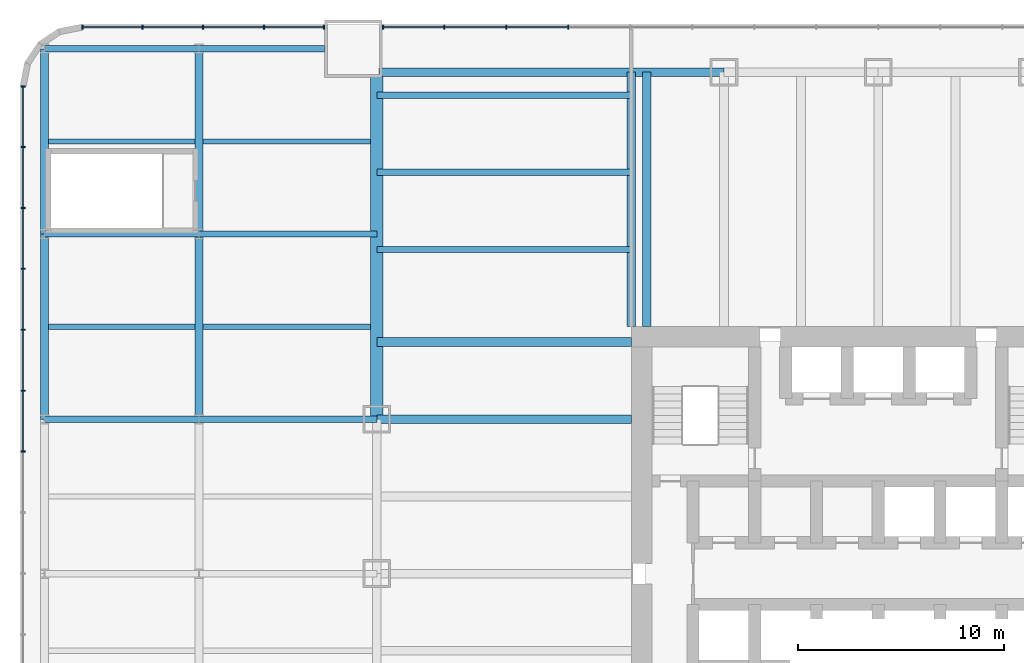
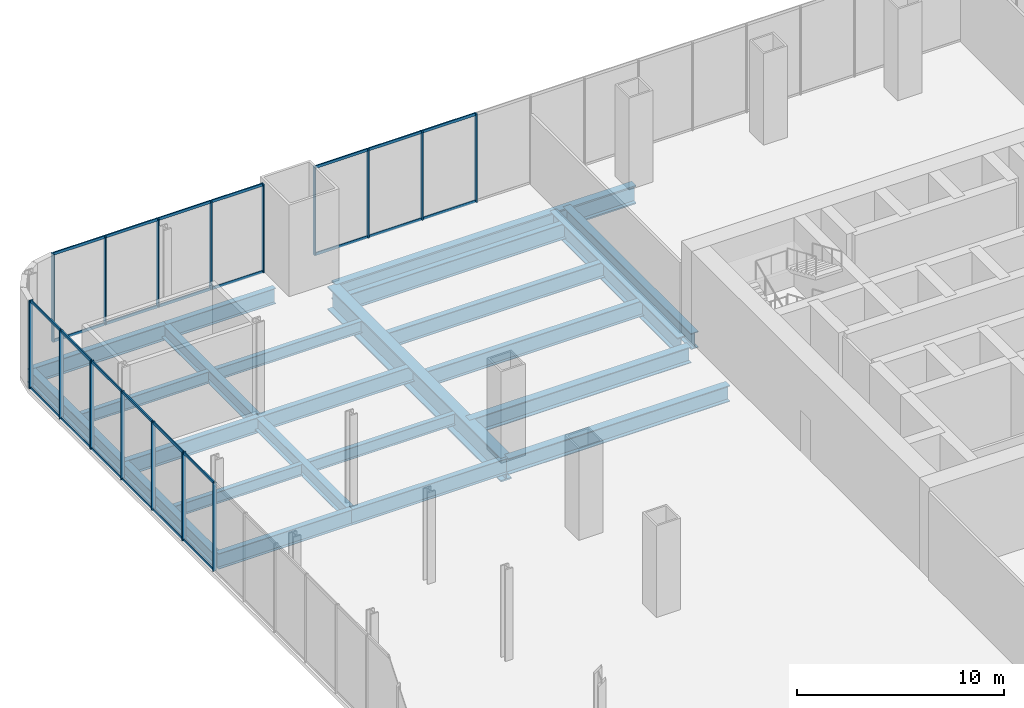
# One storey, part 6 of 17: 42 members, 23 beams, 3 elements without a shape of their own.
"""IFC4 building model written with IfcOpenShell, lengths in metres."""

from ifc_helpers import new_model, si_unit, direction, frame, origin, origin_2d, place, context, subcontext, project, spatial, rectangle, i_section, extrude, material, material_profile, profile_set, type_object, element, aggregate, save


model = new_model("IFC4")

# Units and contexts
model_context = context("Model", 3, precision=1e-05, world=origin(), true_north=direction((0.0, 1.0)))
body_context = subcontext(model_context, "Body", "Model", "MODEL_VIEW")
ifc_project = project(units=[si_unit("LENGTHUNIT", "METRE"), si_unit("AREAUNIT", "SQUARE_METRE"), si_unit("VOLUMEUNIT", "CUBIC_METRE"), si_unit("PLANEANGLEUNIT", "RADIAN"), si_unit("MASSUNIT", "GRAM", prefix="KILO")], contexts=[model_context])

# Site, building, storey
site_placement = place(None, origin())
site = spatial("IfcSite", under=ifc_project, at=site_placement, CompositionType="ELEMENT")
building_placement = place(site_placement, origin())
building = spatial("IfcBuilding", under=site, at=building_placement, Name="Tarangal Relay Tower", CompositionType="ELEMENT")
storey_placement = place(building_placement, frame((0.0, 0.0, 18.0)))
storey = spatial("IfcBuildingStorey", under=building, at=storey_placement, Name="L03", CompositionType="ELEMENT", Elevation=18.0)

# Beams
ifc_material_1 = material(Name="Steel ASTM A992", Category="steel")
ifc_material_profile_1 = material_profile(ifc_material_1, i_section(OverallWidth=0.307373046875, OverallDepth=0.927001953125, WebThickness=0.019287109375, FlangeThickness=0.031982421875, at=origin_2d()), Name="W36X194")
ifc_profile_set_1 = profile_set([ifc_material_profile_1], Name="Steel ASTM A992")
beam_type_1 = type_object("IfcBeamType", Name="Corner beam W36X194", PredefinedType="JOIST", material=ifc_profile_set_1)
for number, where, z_axis, x_axis, name in (
    (1, (-12.0, 15.75, -0.713623046875), (-1.0, 0.0, 0.0), (0.0, -1.0, 0.0), "Corner beam CB10 W L03"),
    (2, (-12.0, 19.5, -0.713623046875), (-1.0, 0.0, 0.0), (0.0, -1.0, 0.0), "Corner beam CB10 W L03"),
    (3, (-12.0, 23.25, -0.713623046875), (-1.0, 0.0, 0.0), (0.0, -1.0, 0.0), "Corner beam CB10 W L03"),
):
    element("IfcBeam", number, at=place(storey_placement, frame(where, z_axis=z_axis, x_axis=x_axis)), inside=storey, type_object=beam_type_1, Name=name, PredefinedType="JOIST", context=body_context, shape_type="SweptSolid", body=[
        extrude(i_section(OverallWidth=0.307373046875, OverallDepth=0.927001953125, WebThickness=0.019287109375, FlangeThickness=0.031982421875, at=origin_2d()), origin(), (0.0, 0.0, 1.0), 12.364990234375),
    ])
ifc_material_profile_2 = material_profile(ifc_material_1, i_section(OverallWidth=0.408935546875, OverallDepth=1.04150390625, WebThickness=0.031005859375, FlangeThickness=0.055908203125, at=origin_2d()), Name="W40X397")
ifc_profile_set_2 = profile_set([ifc_material_profile_2], Name="Steel ASTM A992")
beam_type_2 = type_object("IfcBeamType", Name="Corner girder W40X397", PredefinedType="BEAM", material=ifc_profile_set_2)
beam_1_placement = place(storey_placement, frame((-12.0, 12.0, -0.770751953125), z_axis=(0.0, 1.0, 0.0), x_axis=(-1.0, 0.0, 0.0)))
element("IfcBeam", 4, at=beam_1_placement, inside=storey, type_object=beam_type_2, Name="Corner girder CG1 W L03", PredefinedType="BEAM", context=body_context, shape_type="SweptSolid", body=[
    extrude(i_section(OverallWidth=0.408935546875, OverallDepth=1.04150390625, WebThickness=0.031005859375, FlangeThickness=0.055908203125, at=origin_2d()), origin(), (0.0, 0.0, 1.0), 12.364990234375),
])
ifc_material_profile_3 = material_profile(ifc_material_1, i_section(OverallWidth=0.42431640625, OverallDepth=1.09228515625, WebThickness=0.04541015625, FlangeThickness=0.08203125, at=origin_2d()), Name="W40X593")
ifc_profile_set_3 = profile_set([ifc_material_profile_3], Name="Steel ASTM A992")
beam_type_3 = type_object("IfcBeamType", Name="Edge girder W40X593", PredefinedType="SPANDREL", material=ifc_profile_set_3)
beam_2_placement = place(storey_placement, frame((-24.25, 24.364990234375, -0.796142578125), z_axis=(1.0, 0.0, 0.0), x_axis=(0.0, 1.0, 0.0)))
element("IfcBeam", 5, at=beam_2_placement, inside=storey, type_object=beam_type_3, Name="Edge girder EG9 N L03", PredefinedType="SPANDREL", context=body_context, shape_type="SweptSolid", body=[
    extrude(i_section(OverallWidth=0.42431640625, OverallDepth=1.09228515625, WebThickness=0.04541015625, FlangeThickness=0.08203125, at=origin_2d()), origin(), (0.0, 0.0, 1.0), 16.75),
])
ifc_material_profile_4 = material_profile(ifc_material_1, i_section(OverallWidth=0.42431640625, OverallDepth=0.947509765625, WebThickness=0.02392578125, FlangeThickness=0.042724609375, at=origin_2d()), Name="W36X302")
ifc_profile_set_4 = profile_set([ifc_material_profile_4], Name="Steel ASTM A992")
beam_type_4 = type_object("IfcBeamType", Name="Floor beam W36X302", PredefinedType="BEAM", material=ifc_profile_set_4)
for number, where, z_axis, x_axis, name in (
    (6, (-11.25, 12.0, -0.7236328125), (0.0, 1.0, 0.0), (-1.0, 0.0, 0.0), "Floor beam RB10 N L03"),
    (7, (-12.0, 7.5, -0.7236328125), (-1.0, 0.0, 0.0), (0.0, -1.0, 0.0), "Floor beam RB10 W L03"),
    (8, (-12.0, 11.25, -0.7236328125), (-1.0, 0.0, 0.0), (0.0, -1.0, 0.0), "Floor beam RB10 W L03"),
):
    element("IfcBeam", number, at=place(storey_placement, frame(where, z_axis=z_axis, x_axis=x_axis)), inside=storey, type_object=beam_type_4, Name=name, PredefinedType="BEAM", context=body_context, shape_type="SweptSolid", body=[
        extrude(i_section(OverallWidth=0.42431640625, OverallDepth=0.947509765625, WebThickness=0.02392578125, FlangeThickness=0.042724609375, at=origin_2d()), origin(), (0.0, 0.0, 1.0), 12.364990234375),
    ])

# Curtain wall, members
ifc_material_2 = material(Name="Unitised curtain wall, dark glass and black aluminium", Category="aluminium")
curtain_wall_type = type_object("IfcCurtainWallType", Name="Curtain wall CW-P", PredefinedType="USERDEFINED", material=ifc_material_2)
curtain_wall_1_placement = place(storey_placement, origin())
curtain_wall_1 = element("IfcCurtainWall", 9, at=curtain_wall_1_placement, inside=storey, type_object=curtain_wall_type, Name="Curtain wall CW-P Podium N facade L03", ObjectType="UNITISED CURTAIN WALL", PredefinedType="USERDEFINED")
ifc_material_3 = material(Name="Black anodised aluminium mullion", Category="aluminium")
ifc_material_profile_5 = material_profile(ifc_material_3, rectangle(XDim=0.199951171875, YDim=0.070068359375, at=origin_2d()), Name="CW-PM 70X200")
ifc_profile_set_5 = profile_set([ifc_material_profile_5], Name="Black anodised aluminium mullion")
member_type_1 = type_object("IfcMemberType", Name="Mullion CW-P 70 x 200", PredefinedType="MULLION", material=ifc_profile_set_5)
member_1_placement = place(storey_placement, frame((-15.0625, 26.550048828125, 0.0), z_axis=(0.0, 0.0, 1.0), x_axis=(0.0, -1.0, 0.0)))
member_1 = element("IfcMember", 10, at=member_1_placement, type_object=member_type_1, Name="CW-P mullion 14", PredefinedType="MULLION", context=body_context, shape_type="SweptSolid", body=[
    extrude(rectangle(XDim=0.199951171875, YDim=0.070068359375, at=origin_2d()), origin(), (0.0, 0.0, 1.0), 5.199951171875),
])
member_2_placement = place(storey_placement, frame((-18.074951171875, 26.550048828125, 0.0), z_axis=(0.0, 0.0, 1.0), x_axis=(0.0, -1.0, 0.0)))
member_2 = element("IfcMember", 11, at=member_2_placement, type_object=member_type_1, Name="CW-P mullion 15", PredefinedType="MULLION", context=body_context, shape_type="SweptSolid", body=[
    extrude(rectangle(XDim=0.199951171875, YDim=0.070068359375, at=origin_2d()), origin(), (0.0, 0.0, 1.0), 5.199951171875),
])
member_3_placement = place(storey_placement, frame((-21.08740234375, 26.550048828125, 0.0), z_axis=(0.0, 0.0, 1.0), x_axis=(0.0, -1.0, 0.0)))
member_3 = element("IfcMember", 12, at=member_3_placement, type_object=member_type_1, Name="CW-P mullion 16", PredefinedType="MULLION", context=body_context, shape_type="SweptSolid", body=[
    extrude(rectangle(XDim=0.199951171875, YDim=0.070068359375, at=origin_2d()), origin(), (0.0, 0.0, 1.0), 5.199951171875),
])
member_4_placement = place(storey_placement, frame((-24.06494140625, 26.550048828125, 0.0), z_axis=(0.0, 0.0, 1.0), x_axis=(0.0, -1.0, 0.0)))
member_4 = element("IfcMember", 13, at=member_4_placement, type_object=member_type_1, Name="CW-P mullion 17", PredefinedType="MULLION", context=body_context, shape_type="SweptSolid", body=[
    extrude(rectangle(XDim=0.199951171875, YDim=0.070068359375, at=origin_2d()), origin(), (0.0, 0.0, 1.0), 5.199951171875),
])

curtain_wall_2_placement = place(storey_placement, origin())
curtain_wall_2 = element("IfcCurtainWall", 14, at=curtain_wall_2_placement, inside=storey, type_object=curtain_wall_type, Name="Curtain wall CW-P Podium N facade L03", ObjectType="UNITISED CURTAIN WALL", PredefinedType="USERDEFINED")
member_5_placement = place(storey_placement, frame((-26.93505859375, 26.550048828125, 0.0), z_axis=(0.0, 0.0, 1.0), x_axis=(0.0, -1.0, 0.0)))
member_5 = element("IfcMember", 15, at=member_5_placement, type_object=member_type_1, Name="CW-P mullion 1", PredefinedType="MULLION", context=body_context, shape_type="SweptSolid", body=[
    extrude(rectangle(XDim=0.199951171875, YDim=0.070068359375, at=origin_2d()), origin(), (0.0, 0.0, 1.0), 5.199951171875),
])
member_6_placement = place(storey_placement, frame((-29.85009765625, 26.550048828125, 0.0), z_axis=(0.0, 0.0, 1.0), x_axis=(0.0, -1.0, 0.0)))
member_6 = element("IfcMember", 16, at=member_6_placement, type_object=member_type_1, Name="CW-P mullion 2", PredefinedType="MULLION", context=body_context, shape_type="SweptSolid", body=[
    extrude(rectangle(XDim=0.199951171875, YDim=0.070068359375, at=origin_2d()), origin(), (0.0, 0.0, 1.0), 5.199951171875),
])
member_7_placement = place(storey_placement, frame((-32.800048828125, 26.550048828125, 0.0), z_axis=(0.0, 0.0, 1.0), x_axis=(0.0, -1.0, 0.0)))
member_7 = element("IfcMember", 17, at=member_7_placement, type_object=member_type_1, Name="CW-P mullion 3", PredefinedType="MULLION", context=body_context, shape_type="SweptSolid", body=[
    extrude(rectangle(XDim=0.199951171875, YDim=0.070068359375, at=origin_2d()), origin(), (0.0, 0.0, 1.0), 5.199951171875),
])
member_8_placement = place(storey_placement, frame((-35.75, 26.550048828125, 0.0), z_axis=(0.0, 0.0, 1.0), x_axis=(0.0, -1.0, 0.0)))
member_8 = element("IfcMember", 18, at=member_8_placement, type_object=member_type_1, Name="CW-P mullion 4", PredefinedType="MULLION", context=body_context, shape_type="SweptSolid", body=[
    extrude(rectangle(XDim=0.199951171875, YDim=0.070068359375, at=origin_2d()), origin(), (0.0, 0.0, 1.0), 5.199951171875),
])
member_9_placement = place(storey_placement, frame((-38.6650390625, 26.550048828125, 0.0), z_axis=(0.0, 0.0, 1.0), x_axis=(0.0, -1.0, 0.0)))
member_9 = element("IfcMember", 19, at=member_9_placement, type_object=member_type_1, Name="CW-P mullion 5", PredefinedType="MULLION", context=body_context, shape_type="SweptSolid", body=[
    extrude(rectangle(XDim=0.199951171875, YDim=0.070068359375, at=origin_2d()), origin(), (0.0, 0.0, 1.0), 5.199951171875),
])

curtain_wall_3_placement = place(storey_placement, origin())
curtain_wall_3 = element("IfcCurtainWall", 20, at=curtain_wall_3_placement, inside=storey, type_object=curtain_wall_type, Name="Curtain wall CW-P Podium W facade L03", ObjectType="UNITISED CURTAIN WALL", PredefinedType="USERDEFINED")
member_10_placement = place(storey_placement, frame((-41.550048828125, 23.6650390625, 0.0), z_axis=(0.0, 0.0, 1.0), x_axis=(1.0, 0.0, 0.0)))
member_10 = element("IfcMember", 21, at=member_10_placement, type_object=member_type_1, Name="CW-P mullion 1", PredefinedType="MULLION", context=body_context, shape_type="SweptSolid", body=[
    extrude(rectangle(XDim=0.199951171875, YDim=0.070068359375, at=origin_2d()), origin(), (0.0, 0.0, 1.0), 5.199951171875),
])
member_11_placement = place(storey_placement, frame((-41.550048828125, 20.737548828125, 0.0), z_axis=(0.0, 0.0, 1.0), x_axis=(1.0, 0.0, 0.0)))
member_11 = element("IfcMember", 22, at=member_11_placement, type_object=member_type_1, Name="CW-P mullion 2", PredefinedType="MULLION", context=body_context, shape_type="SweptSolid", body=[
    extrude(rectangle(XDim=0.199951171875, YDim=0.070068359375, at=origin_2d()), origin(), (0.0, 0.0, 1.0), 5.199951171875),
])
member_12_placement = place(storey_placement, frame((-41.550048828125, 17.77490234375, 0.0), z_axis=(0.0, 0.0, 1.0), x_axis=(1.0, 0.0, 0.0)))
member_12 = element("IfcMember", 23, at=member_12_placement, type_object=member_type_1, Name="CW-P mullion 3", PredefinedType="MULLION", context=body_context, shape_type="SweptSolid", body=[
    extrude(rectangle(XDim=0.199951171875, YDim=0.070068359375, at=origin_2d()), origin(), (0.0, 0.0, 1.0), 5.199951171875),
])
member_13_placement = place(storey_placement, frame((-41.550048828125, 14.8125, 0.0), z_axis=(0.0, 0.0, 1.0), x_axis=(1.0, 0.0, 0.0)))
member_13 = element("IfcMember", 24, at=member_13_placement, type_object=member_type_1, Name="CW-P mullion 4", PredefinedType="MULLION", context=body_context, shape_type="SweptSolid", body=[
    extrude(rectangle(XDim=0.199951171875, YDim=0.070068359375, at=origin_2d()), origin(), (0.0, 0.0, 1.0), 5.199951171875),
])
member_14_placement = place(storey_placement, frame((-41.550048828125, 11.85009765625, 0.0), z_axis=(0.0, 0.0, 1.0), x_axis=(1.0, 0.0, 0.0)))
member_14 = element("IfcMember", 25, at=member_14_placement, type_object=member_type_1, Name="CW-P mullion 5", PredefinedType="MULLION", context=body_context, shape_type="SweptSolid", body=[
    extrude(rectangle(XDim=0.199951171875, YDim=0.070068359375, at=origin_2d()), origin(), (0.0, 0.0, 1.0), 5.199951171875),
])
member_15_placement = place(storey_placement, frame((-41.550048828125, 8.887451171875, 0.0), z_axis=(0.0, 0.0, 1.0), x_axis=(1.0, 0.0, 0.0)))
member_15 = element("IfcMember", 26, at=member_15_placement, type_object=member_type_1, Name="CW-P mullion 6", PredefinedType="MULLION", context=body_context, shape_type="SweptSolid", body=[
    extrude(rectangle(XDim=0.199951171875, YDim=0.070068359375, at=origin_2d()), origin(), (0.0, 0.0, 1.0), 5.199951171875),
])
member_16_placement = place(storey_placement, frame((-41.550048828125, 5.925048828125, 0.0), z_axis=(0.0, 0.0, 1.0), x_axis=(1.0, 0.0, 0.0)))
member_16 = element("IfcMember", 27, at=member_16_placement, type_object=member_type_1, Name="CW-P mullion 7", PredefinedType="MULLION", context=body_context, shape_type="SweptSolid", body=[
    extrude(rectangle(XDim=0.199951171875, YDim=0.070068359375, at=origin_2d()), origin(), (0.0, 0.0, 1.0), 5.199951171875),
])

# Beams
ifc_material_profile_6 = material_profile(ifc_material_1, i_section(OverallWidth=0.3046875, OverallDepth=0.911865234375, WebThickness=0.015869140625, FlangeThickness=0.02392578125, at=origin_2d()), Name="W36X150")
ifc_profile_set_6 = profile_set([ifc_material_profile_6], Name="Steel ASTM A992")
beam_type_5 = type_object("IfcBeamType", Name="Podium beam W36X150", PredefinedType="BEAM", material=ifc_profile_set_6)
beam_3_placement = place(storey_placement, frame((-24.364990234375, 7.5, -0.7060546875), z_axis=(-1.0, 0.0, 0.0), x_axis=(0.0, -1.0, 0.0)))
element("IfcBeam", 28, at=beam_3_placement, inside=storey, type_object=beam_type_5, Name="Podium beam PB1 L03", PredefinedType="BEAM", context=body_context, shape_type="SweptSolid", body=[
    extrude(i_section(OverallWidth=0.3046875, OverallDepth=0.911865234375, WebThickness=0.015869140625, FlangeThickness=0.02392578125, at=origin_2d()), origin(), (0.0, 0.0, 1.0), 8.635009765625),
])
beam_4_placement = place(storey_placement, frame((-33.0, 7.5, -0.7060546875), z_axis=(-1.0, 0.0, 0.0), x_axis=(0.0, -1.0, 0.0)))
element("IfcBeam", 29, at=beam_4_placement, inside=storey, type_object=beam_type_5, Name="Podium beam PB1 L03", PredefinedType="BEAM", context=body_context, shape_type="SweptSolid", body=[
    extrude(i_section(OverallWidth=0.3046875, OverallDepth=0.911865234375, WebThickness=0.015869140625, FlangeThickness=0.02392578125, at=origin_2d()), origin(), (0.0, 0.0, 1.0), 7.5),
])
beam_5_placement = place(storey_placement, frame((-24.364990234375, 16.5, -0.7060546875), z_axis=(-1.0, 0.0, 0.0), x_axis=(0.0, -1.0, 0.0)))
element("IfcBeam", 30, at=beam_5_placement, inside=storey, type_object=beam_type_5, Name="Podium beam PB1 L03", PredefinedType="BEAM", context=body_context, shape_type="SweptSolid", body=[
    extrude(i_section(OverallWidth=0.3046875, OverallDepth=0.911865234375, WebThickness=0.015869140625, FlangeThickness=0.02392578125, at=origin_2d()), origin(), (0.0, 0.0, 1.0), 8.635009765625),
])
beam_6_placement = place(storey_placement, frame((-33.0, 16.5, -0.7060546875), z_axis=(-1.0, 0.0, 0.0), x_axis=(0.0, -1.0, 0.0)))
element("IfcBeam", 31, at=beam_6_placement, inside=storey, type_object=beam_type_5, Name="Podium beam PB1 L03", PredefinedType="BEAM", context=body_context, shape_type="SweptSolid", body=[
    extrude(i_section(OverallWidth=0.3046875, OverallDepth=0.911865234375, WebThickness=0.015869140625, FlangeThickness=0.02392578125, at=origin_2d()), origin(), (0.0, 0.0, 1.0), 7.5),
])
beam_7_placement = place(storey_placement, frame((-26.89990234375, 25.5, -0.7060546875), z_axis=(-1.0, 0.0, 0.0), x_axis=(0.0, -1.0, 0.0)))
element("IfcBeam", 32, at=beam_7_placement, inside=storey, type_object=beam_type_5, Name="Podium beam PB1 L03", PredefinedType="BEAM", context=body_context, shape_type="SweptSolid", body=[
    extrude(i_section(OverallWidth=0.3046875, OverallDepth=0.911865234375, WebThickness=0.015869140625, FlangeThickness=0.02392578125, at=origin_2d()), origin(), (0.0, 0.0, 1.0), 6.10009765625),
])
beam_8_placement = place(storey_placement, frame((-33.0, 25.5, -0.7060546875), z_axis=(-1.0, 0.0, 0.0), x_axis=(0.0, -1.0, 0.0)))
element("IfcBeam", 33, at=beam_8_placement, inside=storey, type_object=beam_type_5, Name="Podium beam PB1 L03", PredefinedType="BEAM", context=body_context, shape_type="SweptSolid", body=[
    extrude(i_section(OverallWidth=0.3046875, OverallDepth=0.911865234375, WebThickness=0.015869140625, FlangeThickness=0.02392578125, at=origin_2d()), origin(), (0.0, 0.0, 1.0), 7.5),
])
ifc_material_profile_7 = material_profile(ifc_material_1, i_section(OverallWidth=0.383544921875, OverallDepth=0.784912109375, WebThickness=0.019775390625, FlangeThickness=0.033447265625, at=origin_2d()), Name="W30X211")
ifc_profile_set_7 = profile_set([ifc_material_profile_7], Name="Steel ASTM A992")
beam_type_6 = type_object("IfcBeamType", Name="Podium girder W30X211", PredefinedType="BEAM", material=ifc_profile_set_7)
for number, where, z_axis, x_axis, name in (
    (34, (-33.0, 7.5, -0.642578125), (0.0, 1.0, 0.0), (-1.0, 0.0, 0.0), "Podium girder PG1 L03"),
    (35, (-33.0, 16.5, -0.642578125), (0.0, 1.0, 0.0), (-1.0, 0.0, 0.0), "Podium girder PG1 L03"),
    (36, (-40.5, 7.5, -0.642578125), (0.0, 1.0, 0.0), (-1.0, 0.0, 0.0), "Podium girder PG1 L03"),
    (37, (-40.5, 16.5, -0.642578125), (0.0, 1.0, 0.0), (-1.0, 0.0, 0.0), "Podium girder PG1 L03"),
):
    element("IfcBeam", number, at=place(storey_placement, frame(where, z_axis=z_axis, x_axis=x_axis)), inside=storey, type_object=beam_type_6, Name=name, PredefinedType="BEAM", context=body_context, shape_type="SweptSolid", body=[
        extrude(i_section(OverallWidth=0.383544921875, OverallDepth=0.784912109375, WebThickness=0.019775390625, FlangeThickness=0.033447265625, at=origin_2d()), origin(), (0.0, 0.0, 1.0), 9.0),
    ])
ifc_material_profile_8 = material_profile(ifc_material_1, i_section(OverallWidth=0.25390625, OverallDepth=0.683349609375, WebThickness=0.012451171875, FlangeThickness=0.018798828125, at=origin_2d()), Name="W27X94")
ifc_profile_set_8 = profile_set([ifc_material_profile_8], Name="Steel ASTM A992")
beam_type_7 = type_object("IfcBeamType", Name="Podium joist W27X94", PredefinedType="JOIST", material=ifc_profile_set_8)
beam_9_placement = place(storey_placement, frame((-24.6650390625, 12.0, -0.591796875), z_axis=(-1.0, 0.0, 0.0), x_axis=(0.0, -1.0, 0.0)))
element("IfcBeam", 38, at=beam_9_placement, inside=storey, type_object=beam_type_7, Name="Podium joist PJ1 L03", PredefinedType="JOIST", context=body_context, shape_type="SweptSolid", body=[
    extrude(i_section(OverallWidth=0.25390625, OverallDepth=0.683349609375, WebThickness=0.012451171875, FlangeThickness=0.018798828125, at=origin_2d()), origin(), (0.0, 0.0, 1.0), 8.14404296875),
])
beam_10_placement = place(storey_placement, frame((-33.19091796875, 12.0, -0.591796875), z_axis=(-1.0, 0.0, 0.0), x_axis=(0.0, -1.0, 0.0)))
element("IfcBeam", 39, at=beam_10_placement, inside=storey, type_object=beam_type_7, Name="Podium joist PJ1 L03", PredefinedType="JOIST", context=body_context, shape_type="SweptSolid", body=[
    extrude(i_section(OverallWidth=0.25390625, OverallDepth=0.683349609375, WebThickness=0.012451171875, FlangeThickness=0.018798828125, at=origin_2d()), origin(), (0.0, 0.0, 1.0), 7.1181640625),
])
beam_11_placement = place(storey_placement, frame((-24.6650390625, 21.0, -0.591796875), z_axis=(-1.0, 0.0, 0.0), x_axis=(0.0, -1.0, 0.0)))
element("IfcBeam", 40, at=beam_11_placement, inside=storey, type_object=beam_type_7, Name="Podium joist PJ1 L03", PredefinedType="JOIST", context=body_context, shape_type="SweptSolid", body=[
    extrude(i_section(OverallWidth=0.25390625, OverallDepth=0.683349609375, WebThickness=0.012451171875, FlangeThickness=0.018798828125, at=origin_2d()), origin(), (0.0, 0.0, 1.0), 8.14404296875),
])
beam_12_placement = place(storey_placement, frame((-33.19091796875, 21.0, -0.591796875), z_axis=(-1.0, 0.0, 0.0), x_axis=(0.0, -1.0, 0.0)))
element("IfcBeam", 41, at=beam_12_placement, inside=storey, type_object=beam_type_7, Name="Podium joist PJ1 L03", PredefinedType="JOIST", context=body_context, shape_type="SweptSolid", body=[
    extrude(i_section(OverallWidth=0.25390625, OverallDepth=0.683349609375, WebThickness=0.012451171875, FlangeThickness=0.018798828125, at=origin_2d()), origin(), (0.0, 0.0, 1.0), 7.1181640625),
])
ifc_material_4 = material(Name="Steel ASTM A572 Grade 50", Category="steel")
ifc_material_profile_9 = material_profile(ifc_material_4, i_section(OverallWidth=0.60009765625, OverallDepth=1.39990234375, WebThickness=0.030029296875, FlangeThickness=0.080078125, at=origin_2d()), Name="PG1400X600X80X30")
ifc_profile_set_9 = profile_set([ifc_material_profile_9], Name="Steel ASTM A572 Grade 50")
beam_type_8 = type_object("IfcBeamType", Name="Transfer girder PG1400X600X80X30", PredefinedType="SPANDREL", material=ifc_profile_set_9)
beam_13_placement = place(storey_placement, frame((-24.364990234375, 7.5, -0.949951171875), z_axis=(0.0, 1.0, 0.0), x_axis=(-1.0, 0.0, 0.0)))
element("IfcBeam", 42, at=beam_13_placement, inside=storey, type_object=beam_type_8, Name="Transfer girder TG1 W L03", PredefinedType="SPANDREL", context=body_context, shape_type="SweptSolid", body=[
    extrude(i_section(OverallWidth=0.60009765625, OverallDepth=1.39990234375, WebThickness=0.030029296875, FlangeThickness=0.080078125, at=origin_2d()), origin(), (0.0, 0.0, 1.0), 16.75),
])

# Member
ifc_material_5 = material(Name="Black anodised aluminium transom", Category="aluminium")
ifc_material_profile_10 = material_profile(ifc_material_5, rectangle(XDim=0.070068359375, YDim=0.159912109375, at=origin_2d()), Name="CW-PT 70X160")
ifc_profile_set_10 = profile_set([ifc_material_profile_10], Name="Black anodised aluminium transom")
member_type_2 = type_object("IfcMemberType", Name="Transom CW-P 70 x 160", PredefinedType="USERDEFINED", material=ifc_profile_set_10)
member_17_placement = place(storey_placement, frame((-15.097412109375, 26.550048828125, 0.034912109375), z_axis=(-1.0, 0.0, 0.0), x_axis=(0.0, -1.0, 0.0)))
member_17 = element("IfcMember", 43, at=member_17_placement, type_object=member_type_2, Name="CW-P transom 14.1", ObjectType="TRANSOM", PredefinedType="USERDEFINED", context=body_context, shape_type="SweptSolid", body=[
    extrude(rectangle(XDim=0.070068359375, YDim=0.159912109375, at=origin_2d()), origin(), (0.0, 0.0, 1.0), 2.942626953125),
])

member_18_placement = place(storey_placement, frame((-15.097412109375, 26.550048828125, 5.1650390625), z_axis=(-1.0, 0.0, 0.0), x_axis=(0.0, -1.0, 0.0)))
member_18 = element("IfcMember", 44, at=member_18_placement, type_object=member_type_2, Name="CW-P transom 14.2", ObjectType="TRANSOM", PredefinedType="USERDEFINED", context=body_context, shape_type="SweptSolid", body=[
    extrude(rectangle(XDim=0.070068359375, YDim=0.159912109375, at=origin_2d()), origin(), (0.0, 0.0, 1.0), 2.942626953125),
])

member_19_placement = place(storey_placement, frame((-18.110107421875, 26.550048828125, 0.034912109375), z_axis=(-1.0, 0.0, 0.0), x_axis=(0.0, -1.0, 0.0)))
member_19 = element("IfcMember", 45, at=member_19_placement, type_object=member_type_2, Name="CW-P transom 15.1", ObjectType="TRANSOM", PredefinedType="USERDEFINED", context=body_context, shape_type="SweptSolid", body=[
    extrude(rectangle(XDim=0.070068359375, YDim=0.159912109375, at=origin_2d()), origin(), (0.0, 0.0, 1.0), 2.9423828125),
])

member_20_placement = place(storey_placement, frame((-18.110107421875, 26.550048828125, 5.1650390625), z_axis=(-1.0, 0.0, 0.0), x_axis=(0.0, -1.0, 0.0)))
member_20 = element("IfcMember", 46, at=member_20_placement, type_object=member_type_2, Name="CW-P transom 15.2", ObjectType="TRANSOM", PredefinedType="USERDEFINED", context=body_context, shape_type="SweptSolid", body=[
    extrude(rectangle(XDim=0.070068359375, YDim=0.159912109375, at=origin_2d()), origin(), (0.0, 0.0, 1.0), 2.9423828125),
])

member_21_placement = place(storey_placement, frame((-21.12255859375, 26.550048828125, 0.034912109375), z_axis=(-1.0, 0.0, 0.0), x_axis=(0.0, -1.0, 0.0)))
member_21 = element("IfcMember", 47, at=member_21_placement, type_object=member_type_2, Name="CW-P transom 16.1", ObjectType="TRANSOM", PredefinedType="USERDEFINED", context=body_context, shape_type="SweptSolid", body=[
    extrude(rectangle(XDim=0.070068359375, YDim=0.159912109375, at=origin_2d()), origin(), (0.0, 0.0, 1.0), 2.907470703125),
])

member_22_placement = place(storey_placement, frame((-21.12255859375, 26.550048828125, 5.1650390625), z_axis=(-1.0, 0.0, 0.0), x_axis=(0.0, -1.0, 0.0)))
member_22 = element("IfcMember", 48, at=member_22_placement, type_object=member_type_2, Name="CW-P transom 16.2", ObjectType="TRANSOM", PredefinedType="USERDEFINED", context=body_context, shape_type="SweptSolid", body=[
    extrude(rectangle(XDim=0.070068359375, YDim=0.159912109375, at=origin_2d()), origin(), (0.0, 0.0, 1.0), 2.907470703125),
])

aggregate(curtain_wall_1, [member_1, member_2, member_3, member_4, member_17, member_18, member_19, member_20, member_21, member_22])

member_23_placement = place(storey_placement, frame((-26.969970703125, 26.550048828125, 0.034912109375), z_axis=(-1.0, 0.0, 0.0), x_axis=(0.0, -1.0, 0.0)))
member_23 = element("IfcMember", 49, at=member_23_placement, type_object=member_type_2, Name="CW-P transom 1.1", ObjectType="TRANSOM", PredefinedType="USERDEFINED", context=body_context, shape_type="SweptSolid", body=[
    extrude(rectangle(XDim=0.070068359375, YDim=0.159912109375, at=origin_2d()), origin(), (0.0, 0.0, 1.0), 2.844970703125),
])

member_24_placement = place(storey_placement, frame((-26.969970703125, 26.550048828125, 5.1650390625), z_axis=(-1.0, 0.0, 0.0), x_axis=(0.0, -1.0, 0.0)))
member_24 = element("IfcMember", 50, at=member_24_placement, type_object=member_type_2, Name="CW-P transom 1.2", ObjectType="TRANSOM", PredefinedType="USERDEFINED", context=body_context, shape_type="SweptSolid", body=[
    extrude(rectangle(XDim=0.070068359375, YDim=0.159912109375, at=origin_2d()), origin(), (0.0, 0.0, 1.0), 2.844970703125),
])

member_25_placement = place(storey_placement, frame((-29.885009765625, 26.550048828125, 0.034912109375), z_axis=(-1.0, 0.0, 0.0), x_axis=(0.0, -1.0, 0.0)))
member_25 = element("IfcMember", 51, at=member_25_placement, type_object=member_type_2, Name="CW-P transom 2.1", ObjectType="TRANSOM", PredefinedType="USERDEFINED", context=body_context, shape_type="SweptSolid", body=[
    extrude(rectangle(XDim=0.070068359375, YDim=0.159912109375, at=origin_2d()), origin(), (0.0, 0.0, 1.0), 2.8798828125),
])

member_26_placement = place(storey_placement, frame((-29.885009765625, 26.550048828125, 5.1650390625), z_axis=(-1.0, 0.0, 0.0), x_axis=(0.0, -1.0, 0.0)))
member_26 = element("IfcMember", 52, at=member_26_placement, type_object=member_type_2, Name="CW-P transom 2.2", ObjectType="TRANSOM", PredefinedType="USERDEFINED", context=body_context, shape_type="SweptSolid", body=[
    extrude(rectangle(XDim=0.070068359375, YDim=0.159912109375, at=origin_2d()), origin(), (0.0, 0.0, 1.0), 2.8798828125),
])

member_27_placement = place(storey_placement, frame((-32.8349609375, 26.550048828125, 0.034912109375), z_axis=(-1.0, 0.0, 0.0), x_axis=(0.0, -1.0, 0.0)))
member_27 = element("IfcMember", 53, at=member_27_placement, type_object=member_type_2, Name="CW-P transom 3.1", ObjectType="TRANSOM", PredefinedType="USERDEFINED", context=body_context, shape_type="SweptSolid", body=[
    extrude(rectangle(XDim=0.070068359375, YDim=0.159912109375, at=origin_2d()), origin(), (0.0, 0.0, 1.0), 2.880126953125),
])

member_28_placement = place(storey_placement, frame((-32.8349609375, 26.550048828125, 5.1650390625), z_axis=(-1.0, 0.0, 0.0), x_axis=(0.0, -1.0, 0.0)))
member_28 = element("IfcMember", 54, at=member_28_placement, type_object=member_type_2, Name="CW-P transom 3.2", ObjectType="TRANSOM", PredefinedType="USERDEFINED", context=body_context, shape_type="SweptSolid", body=[
    extrude(rectangle(XDim=0.070068359375, YDim=0.159912109375, at=origin_2d()), origin(), (0.0, 0.0, 1.0), 2.880126953125),
])

member_29_placement = place(storey_placement, frame((-35.784912109375, 26.550048828125, 0.034912109375), z_axis=(-1.0, 0.0, 0.0), x_axis=(0.0, -1.0, 0.0)))
member_29 = element("IfcMember", 55, at=member_29_placement, type_object=member_type_2, Name="CW-P transom 4.1", ObjectType="TRANSOM", PredefinedType="USERDEFINED", context=body_context, shape_type="SweptSolid", body=[
    extrude(rectangle(XDim=0.070068359375, YDim=0.159912109375, at=origin_2d()), origin(), (0.0, 0.0, 1.0), 2.844970703125),
])

member_30_placement = place(storey_placement, frame((-35.784912109375, 26.550048828125, 5.1650390625), z_axis=(-1.0, 0.0, 0.0), x_axis=(0.0, -1.0, 0.0)))
member_30 = element("IfcMember", 56, at=member_30_placement, type_object=member_type_2, Name="CW-P transom 4.2", ObjectType="TRANSOM", PredefinedType="USERDEFINED", context=body_context, shape_type="SweptSolid", body=[
    extrude(rectangle(XDim=0.070068359375, YDim=0.159912109375, at=origin_2d()), origin(), (0.0, 0.0, 1.0), 2.844970703125),
])

aggregate(curtain_wall_2, [member_5, member_6, member_7, member_8, member_9, member_23, member_24, member_25, member_26, member_27, member_28, member_29, member_30])

member_31_placement = place(storey_placement, frame((-41.550048828125, 23.6298828125, 0.034912109375), z_axis=(0.0, -1.0, 0.0), x_axis=(1.0, 0.0, 0.0)))
member_31 = element("IfcMember", 57, at=member_31_placement, type_object=member_type_2, Name="CW-P transom 1.1", ObjectType="TRANSOM", PredefinedType="USERDEFINED", context=body_context, shape_type="SweptSolid", body=[
    extrude(rectangle(XDim=0.070068359375, YDim=0.159912109375, at=origin_2d()), origin(), (0.0, 0.0, 1.0), 2.857421875),
])

member_32_placement = place(storey_placement, frame((-41.550048828125, 23.6298828125, 5.1650390625), z_axis=(0.0, -1.0, 0.0), x_axis=(1.0, 0.0, 0.0)))
member_32 = element("IfcMember", 58, at=member_32_placement, type_object=member_type_2, Name="CW-P transom 1.2", ObjectType="TRANSOM", PredefinedType="USERDEFINED", context=body_context, shape_type="SweptSolid", body=[
    extrude(rectangle(XDim=0.070068359375, YDim=0.159912109375, at=origin_2d()), origin(), (0.0, 0.0, 1.0), 2.857421875),
])

member_33_placement = place(storey_placement, frame((-41.550048828125, 20.702392578125, 0.034912109375), z_axis=(0.0, -1.0, 0.0), x_axis=(1.0, 0.0, 0.0)))
member_33 = element("IfcMember", 59, at=member_33_placement, type_object=member_type_2, Name="CW-P transom 2.1", ObjectType="TRANSOM", PredefinedType="USERDEFINED", context=body_context, shape_type="SweptSolid", body=[
    extrude(rectangle(XDim=0.070068359375, YDim=0.159912109375, at=origin_2d()), origin(), (0.0, 0.0, 1.0), 2.892333984375),
])

member_34_placement = place(storey_placement, frame((-41.550048828125, 20.702392578125, 5.1650390625), z_axis=(0.0, -1.0, 0.0), x_axis=(1.0, 0.0, 0.0)))
member_34 = element("IfcMember", 60, at=member_34_placement, type_object=member_type_2, Name="CW-P transom 2.2", ObjectType="TRANSOM", PredefinedType="USERDEFINED", context=body_context, shape_type="SweptSolid", body=[
    extrude(rectangle(XDim=0.070068359375, YDim=0.159912109375, at=origin_2d()), origin(), (0.0, 0.0, 1.0), 2.892333984375),
])

member_35_placement = place(storey_placement, frame((-41.550048828125, 17.739990234375, 0.034912109375), z_axis=(0.0, -1.0, 0.0), x_axis=(1.0, 0.0, 0.0)))
member_35 = element("IfcMember", 61, at=member_35_placement, type_object=member_type_2, Name="CW-P transom 3.1", ObjectType="TRANSOM", PredefinedType="USERDEFINED", context=body_context, shape_type="SweptSolid", body=[
    extrude(rectangle(XDim=0.070068359375, YDim=0.159912109375, at=origin_2d()), origin(), (0.0, 0.0, 1.0), 2.892578125),
])

member_36_placement = place(storey_placement, frame((-41.550048828125, 17.739990234375, 5.1650390625), z_axis=(0.0, -1.0, 0.0), x_axis=(1.0, 0.0, 0.0)))
member_36 = element("IfcMember", 62, at=member_36_placement, type_object=member_type_2, Name="CW-P transom 3.2", ObjectType="TRANSOM", PredefinedType="USERDEFINED", context=body_context, shape_type="SweptSolid", body=[
    extrude(rectangle(XDim=0.070068359375, YDim=0.159912109375, at=origin_2d()), origin(), (0.0, 0.0, 1.0), 2.892578125),
])

member_37_placement = place(storey_placement, frame((-41.550048828125, 14.777587890625, 0.034912109375), z_axis=(0.0, -1.0, 0.0), x_axis=(1.0, 0.0, 0.0)))
member_37 = element("IfcMember", 63, at=member_37_placement, type_object=member_type_2, Name="CW-P transom 4.1", ObjectType="TRANSOM", PredefinedType="USERDEFINED", context=body_context, shape_type="SweptSolid", body=[
    extrude(rectangle(XDim=0.070068359375, YDim=0.159912109375, at=origin_2d()), origin(), (0.0, 0.0, 1.0), 2.892578125),
])

member_38_placement = place(storey_placement, frame((-41.550048828125, 14.777587890625, 5.1650390625), z_axis=(0.0, -1.0, 0.0), x_axis=(1.0, 0.0, 0.0)))
member_38 = element("IfcMember", 64, at=member_38_placement, type_object=member_type_2, Name="CW-P transom 4.2", ObjectType="TRANSOM", PredefinedType="USERDEFINED", context=body_context, shape_type="SweptSolid", body=[
    extrude(rectangle(XDim=0.070068359375, YDim=0.159912109375, at=origin_2d()), origin(), (0.0, 0.0, 1.0), 2.892578125),
])

member_39_placement = place(storey_placement, frame((-41.550048828125, 11.81494140625, 0.034912109375), z_axis=(0.0, -1.0, 0.0), x_axis=(1.0, 0.0, 0.0)))
member_39 = element("IfcMember", 65, at=member_39_placement, type_object=member_type_2, Name="CW-P transom 5.1", ObjectType="TRANSOM", PredefinedType="USERDEFINED", context=body_context, shape_type="SweptSolid", body=[
    extrude(rectangle(XDim=0.070068359375, YDim=0.159912109375, at=origin_2d()), origin(), (0.0, 0.0, 1.0), 2.892333984375),
])

member_40_placement = place(storey_placement, frame((-41.550048828125, 11.81494140625, 5.1650390625), z_axis=(0.0, -1.0, 0.0), x_axis=(1.0, 0.0, 0.0)))
member_40 = element("IfcMember", 66, at=member_40_placement, type_object=member_type_2, Name="CW-P transom 5.2", ObjectType="TRANSOM", PredefinedType="USERDEFINED", context=body_context, shape_type="SweptSolid", body=[
    extrude(rectangle(XDim=0.070068359375, YDim=0.159912109375, at=origin_2d()), origin(), (0.0, 0.0, 1.0), 2.892333984375),
])

member_41_placement = place(storey_placement, frame((-41.550048828125, 8.8525390625, 0.034912109375), z_axis=(0.0, -1.0, 0.0), x_axis=(1.0, 0.0, 0.0)))
member_41 = element("IfcMember", 67, at=member_41_placement, type_object=member_type_2, Name="CW-P transom 6.1", ObjectType="TRANSOM", PredefinedType="USERDEFINED", context=body_context, shape_type="SweptSolid", body=[
    extrude(rectangle(XDim=0.070068359375, YDim=0.159912109375, at=origin_2d()), origin(), (0.0, 0.0, 1.0), 2.892578125),
])

member_42_placement = place(storey_placement, frame((-41.550048828125, 8.8525390625, 5.1650390625), z_axis=(0.0, -1.0, 0.0), x_axis=(1.0, 0.0, 0.0)))
member_42 = element("IfcMember", 68, at=member_42_placement, type_object=member_type_2, Name="CW-P transom 6.2", ObjectType="TRANSOM", PredefinedType="USERDEFINED", context=body_context, shape_type="SweptSolid", body=[
    extrude(rectangle(XDim=0.070068359375, YDim=0.159912109375, at=origin_2d()), origin(), (0.0, 0.0, 1.0), 2.892578125),
])

aggregate(curtain_wall_3, [member_10, member_11, member_12, member_13, member_14, member_15, member_16, member_31, member_32, member_33, member_34, member_35, member_36, member_37, member_38, member_39, member_40, member_41, member_42])

save(model, "model.ifc")
